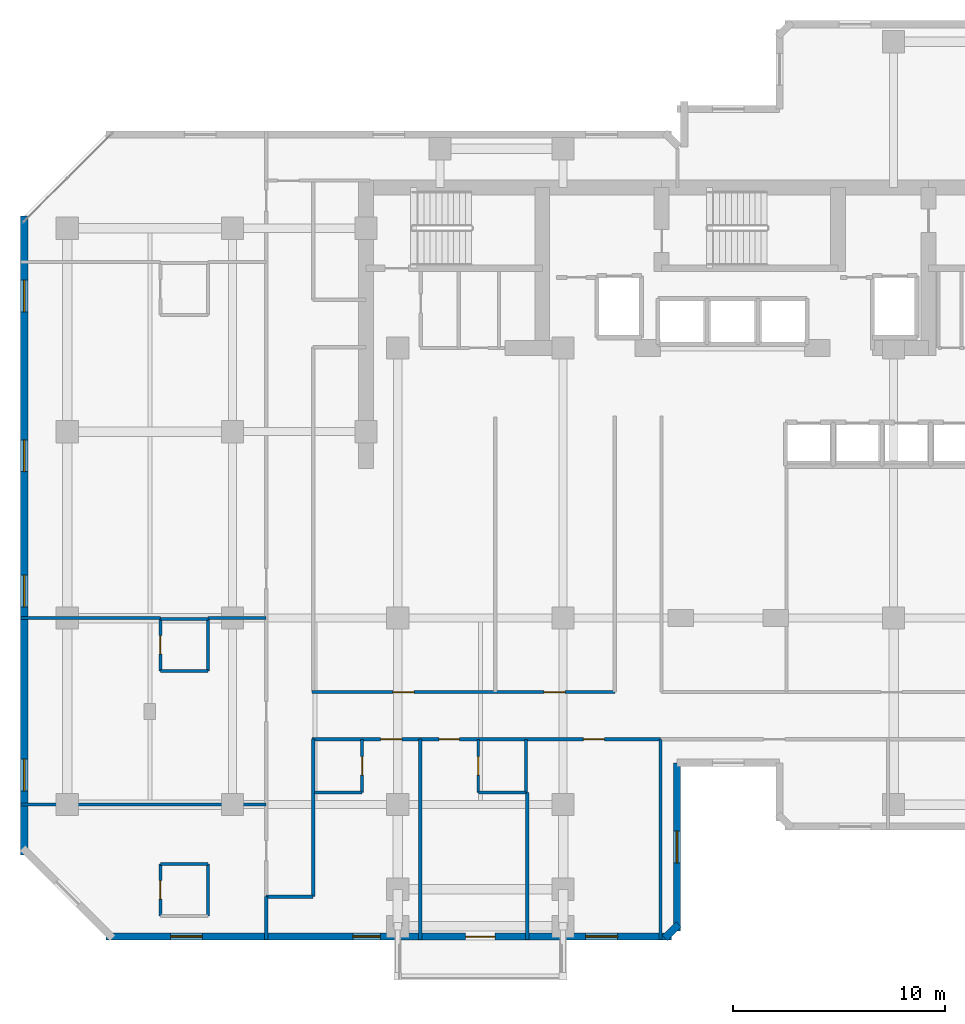
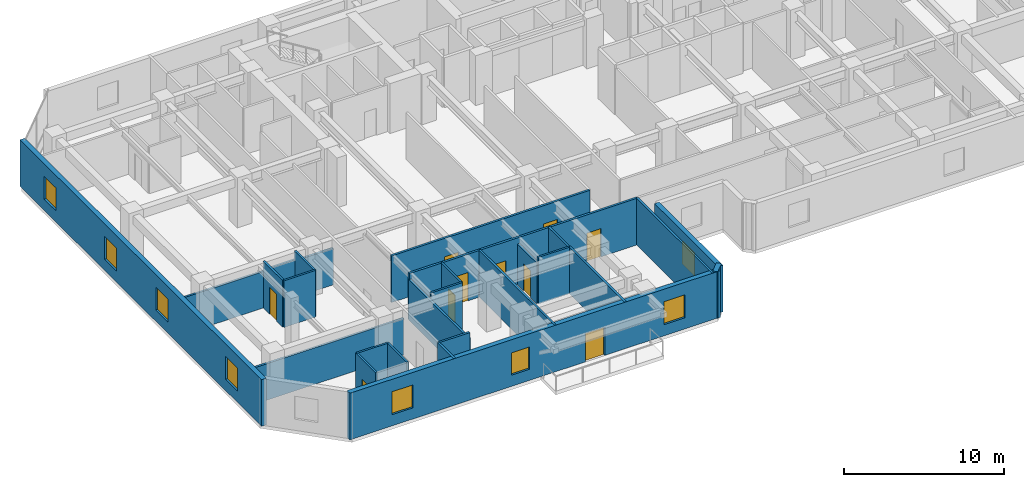
# One storey, part 5 of 11: 27 walls, 10 doors, 8 windows, 18 openings.
"""IFC4 building model written with IfcOpenShell, lengths in metres."""

from ifc_helpers import new_model, si_unit, direction, frame, frame_2d, origin, place, context, subcontext, project, spatial, rectangle, extrude, material, layer, layer_set, type_object, element, fill, save


model = new_model("IFC4")

# Units and contexts
model_context = context("Model", 3, precision=1e-05, world=origin(), true_north=direction((0.0, 1.0)))
body_context = subcontext(model_context, "Body", "Model", "MODEL_VIEW")
ifc_project = project(units=[si_unit("LENGTHUNIT", "METRE"), si_unit("AREAUNIT", "SQUARE_METRE"), si_unit("VOLUMEUNIT", "CUBIC_METRE"), si_unit("PLANEANGLEUNIT", "RADIAN"), si_unit("MASSUNIT", "GRAM", prefix="KILO")], contexts=[model_context])

# Site, building, storey
site_placement = place(None, origin())
site = spatial("IfcSite", under=ifc_project, at=site_placement, CompositionType="ELEMENT")
building_placement = place(site_placement, origin())
building = spatial("IfcBuilding", under=site, at=building_placement, Name="Kestravale Grand Hotel", CompositionType="ELEMENT")
storey_placement = place(building_placement, frame((0.0, 0.0, 168.800048828125)))
storey = spatial("IfcBuildingStorey", under=building, at=storey_placement, Name="L42", CompositionType="ELEMENT", Elevation=168.800048828125)

# Wall, openings, door, windows
ifc_material_1 = material(Name="Precast concrete f'c 45 MPa", Category="concrete")
ifc_layer_1 = layer(ifc_material_1, 0.340087890625)
ifc_layer_set_1 = layer_set([ifc_layer_1], Name="EW-PREC-340")
wall_type_1 = type_object("IfcWallType", Name="EW-PREC-340", PredefinedType="SOLIDWALL", material=ifc_layer_set_1)
wall_1_placement = place(storey_placement, frame((9.6298828125, 4.969970703125, 0.0), z_axis=(0.0, 0.0, 1.0), x_axis=(1.0, 0.0, 0.0)))
wall_1 = element("IfcWall", 1, at=wall_1_placement, inside=storey, type_object=wall_type_1, Name="L42 fluted precast facade wall 1", PredefinedType="SOLIDWALL", context=body_context, shape_type="SweptSolid", body=[
    extrude(rectangle(XDim=26.690185546875, YDim=0.340087890625, at=frame_2d((13.34521484375, 0.0))), origin(), (0.0, 0.0, 1.0), 3.550048828125),
])
opening_1_placement = place(wall_1_placement, frame((16.969970703125, 0.0, 0.0)))
opening_1 = element("IfcOpeningElement", 2, at=opening_1_placement, cuts=wall_1, Name="Opening D-TERR-1400", PredefinedType="OPENING", context=body_context, shape_type="SweptSolid", body=[
    extrude(rectangle(XDim=1.39990234375, YDim=2.14990234375, at=frame_2d((0.699951171875, 1.074951171875))), frame((0.0, 0.179931640625, 0.0), z_axis=(0.0, -1.0, 0.0), x_axis=(1.0, 0.0, 0.0)), (0.0, 0.0, 1.0), 0.360107421875),
])
opening_2_placement = place(wall_1_placement, frame((3.04833984375, 0.0, 0.85009765625)))
opening_2 = element("IfcOpeningElement", 3, at=opening_2_placement, cuts=wall_1, Name="Opening W-GUEST-1500", PredefinedType="OPENING", context=body_context, shape_type="SweptSolid", body=[
    extrude(rectangle(XDim=1.5, YDim=1.75, at=frame_2d((0.75, 0.875))), frame((0.0, 0.179931640625, 0.0), z_axis=(0.0, -1.0, 0.0), x_axis=(1.0, 0.0, 0.0)), (0.0, 0.0, 1.0), 0.360107421875),
])
opening_3_placement = place(wall_1_placement, frame((22.6416015625, 0.0, 0.85009765625)))
opening_3 = element("IfcOpeningElement", 4, at=opening_3_placement, cuts=wall_1, Name="Opening W-GUEST-1500", PredefinedType="OPENING", context=body_context, shape_type="SweptSolid", body=[
    extrude(rectangle(XDim=1.5, YDim=1.75, at=frame_2d((0.75, 0.875))), frame((0.0, 0.179931640625, 0.0), z_axis=(0.0, -1.0, 0.0), x_axis=(1.0, 0.0, 0.0)), (0.0, 0.0, 1.0), 0.360107421875),
])
opening_4_placement = place(wall_1_placement, frame((11.655029296875, 0.0, 0.85009765625)))
opening_4 = element("IfcOpeningElement", 5, at=opening_4_placement, cuts=wall_1, Name="Opening W-GUEST-1300", PredefinedType="OPENING", context=body_context, shape_type="SweptSolid", body=[
    extrude(rectangle(XDim=1.300048828125, YDim=1.699951171875, at=frame_2d((0.64990234375, 0.85009765625))), frame((0.0, 0.179931640625, 0.0), z_axis=(0.0, -1.0, 0.0), x_axis=(1.0, 0.0, 0.0)), (0.0, 0.0, 1.0), 0.360107421875),
])
ifc_material_2 = material(Name="Insulated glazed champagne-bronze aluminium door", Category="aluminium")
door_type_1 = type_object("IfcDoorType", Name="D-TERR-1400", OperationType="NOTDEFINED", PredefinedType="DOOR", material=ifc_material_2)
door_1_placement = place(opening_1_placement, origin())
door_1 = element("IfcDoor", 6, at=door_1_placement, inside=storey, type_object=door_type_1, Name="L42 outdoor garden terrace door", OperationType="DOUBLE_DOOR_SINGLE_SWING", OverallHeight=2.14990234375, OverallWidth=1.39990234375, PredefinedType="DOOR", context=body_context, shape_type="SweptSolid", body=[
    extrude(rectangle(XDim=1.39990234375, YDim=2.14990234375, at=frame_2d((0.699951171875, 1.074951171875))), frame((0.0, 0.02490234375, 0.0), z_axis=(0.0, -1.0, 0.0), x_axis=(1.0, 0.0, 0.0)), (0.0, 0.0, 1.0), 0.050048828125),
])
fill(opening_1, door_1)
ifc_material_3 = material(Name="Insulated low-E double glazing in aluminium frame", Category="aluminium")
window_type_1 = type_object("IfcWindowType", Name="W-GUEST-1300", PartitioningType="SINGLE_PANEL", PredefinedType="WINDOW", material=ifc_material_3)
window_1_placement = place(opening_4_placement, origin())
window_1 = element("IfcWindow", 7, at=window_1_placement, inside=storey, type_object=window_type_1, Name="L42 guestroom envelope window 1", OverallHeight=1.699951171875, OverallWidth=1.300048828125, PartitioningType="SINGLE_PANEL", PredefinedType="WINDOW", context=body_context, shape_type="SweptSolid", body=[
    extrude(rectangle(XDim=1.300048828125, YDim=1.699951171875, at=frame_2d((0.64990234375, 0.85009765625))), frame((0.0, 0.030029296875, 0.0), z_axis=(0.0, -1.0, 0.0), x_axis=(1.0, 0.0, 0.0)), (0.0, 0.0, 1.0), 0.06005859375),
])
fill(opening_4, window_1)
ifc_material_4 = material(Name="Insulated low-E double glazing in aluminium frame", Category="aluminium")
window_type_2 = type_object("IfcWindowType", Name="W-GUEST-1500", PartitioningType="SINGLE_PANEL", PredefinedType="WINDOW", material=ifc_material_4)
window_2_placement = place(opening_2_placement, origin())
window_2 = element("IfcWindow", 8, at=window_2_placement, inside=storey, type_object=window_type_2, Name="L42 exterior window 1.1", OverallHeight=1.75, OverallWidth=1.5, PartitioningType="SINGLE_PANEL", PredefinedType="WINDOW", context=body_context, shape_type="SweptSolid", body=[
    extrude(rectangle(XDim=1.5, YDim=1.75, at=frame_2d((0.75, 0.875))), frame((0.0, 0.030029296875, 0.0), z_axis=(0.0, -1.0, 0.0), x_axis=(1.0, 0.0, 0.0)), (0.0, 0.0, 1.0), 0.06005859375),
])
fill(opening_2, window_2)
window_3_placement = place(opening_3_placement, origin())
window_3 = element("IfcWindow", 9, at=window_3_placement, inside=storey, type_object=window_type_2, Name="L42 exterior window 1.2", OverallHeight=1.75, OverallWidth=1.5, PartitioningType="SINGLE_PANEL", PredefinedType="WINDOW", context=body_context, shape_type="SweptSolid", body=[
    extrude(rectangle(XDim=1.5, YDim=1.75, at=frame_2d((0.75, 0.875))), frame((0.0, 0.030029296875, 0.0), z_axis=(0.0, -1.0, 0.0), x_axis=(1.0, 0.0, 0.0)), (0.0, 0.0, 1.0), 0.06005859375),
])
fill(opening_3, window_3)

# Wall
wall_2_placement = place(storey_placement, frame((36.00146484375, 4.891845703125, 0.0), z_axis=(0.0, 0.0, 1.0), x_axis=(0.707106781187, 0.707106781187, 0.0)))
element("IfcWall", 10, at=wall_2_placement, inside=storey, type_object=wall_type_1, Name="L42 fluted precast facade wall 2", PredefinedType="SOLIDWALL", context=body_context, shape_type="SweptSolid", body=[
    extrude(rectangle(XDim=0.9287109375, YDim=0.340087890625, at=frame_2d((0.46435546875, 0.0))), origin(), (0.0, 0.0, 1.0), 3.550048828125),
])

# Wall, opening, window
wall_3_placement = place(storey_placement, frame((36.580078125, 5.22998046875, 0.0), z_axis=(0.0, 0.0, 1.0), x_axis=(0.0, 1.0, 0.0)))
wall_3 = element("IfcWall", 11, at=wall_3_placement, inside=storey, type_object=wall_type_1, Name="L42 fluted precast facade wall 3", PredefinedType="SOLIDWALL", context=body_context, shape_type="SweptSolid", body=[
    extrude(rectangle(XDim=7.93994140625, YDim=0.340087890625, at=frame_2d((3.969970703125, 0.0))), origin(), (0.0, 0.0, 1.0), 3.550048828125),
])
opening_5_placement = place(wall_3_placement, frame((3.219970703125, 0.0, 0.85009765625)))
opening_5 = element("IfcOpeningElement", 12, at=opening_5_placement, cuts=wall_3, Name="Opening W-GUEST-1500", PredefinedType="OPENING", context=body_context, shape_type="SweptSolid", body=[
    extrude(rectangle(XDim=1.5, YDim=1.75, at=frame_2d((0.75, 0.875))), frame((0.0, 0.179931640625, 0.0), z_axis=(0.0, -1.0, 0.0), x_axis=(1.0, 0.0, 0.0)), (0.0, 0.0, 1.0), 0.360107421875),
])
window_4_placement = place(opening_5_placement, origin())
window_4 = element("IfcWindow", 13, at=window_4_placement, inside=storey, type_object=window_type_2, Name="L42 exterior window 3.1", OverallHeight=1.75, OverallWidth=1.5, PartitioningType="SINGLE_PANEL", PredefinedType="WINDOW", context=body_context, shape_type="SweptSolid", body=[
    extrude(rectangle(XDim=1.5, YDim=1.75, at=frame_2d((0.75, 0.875))), frame((0.0, 0.030029296875, 0.0), z_axis=(0.0, -1.0, 0.0), x_axis=(1.0, 0.0, 0.0)), (0.0, 0.0, 1.0), 0.06005859375),
])
fill(opening_5, window_4)

# Wall, openings, windows
wall_4_placement = place(storey_placement, frame((5.77001953125, 38.969970703125, 0.0), z_axis=(0.0, 0.0, 1.0), x_axis=(0.0, -1.0, 0.0)))
wall_4 = element("IfcWall", 14, at=wall_4_placement, inside=storey, type_object=wall_type_1, Name="L42 fluted precast facade wall 19", PredefinedType="SOLIDWALL", context=body_context, shape_type="SweptSolid", body=[
    extrude(rectangle(XDim=30.139892578125, YDim=0.340087890625, at=frame_2d((15.06982421875, 0.0))), origin(), (0.0, 0.0, 1.0), 3.550048828125),
])
opening_6_placement = place(wall_4_placement, frame((3.017578125, 0.0, 0.85009765625)))
opening_6 = element("IfcOpeningElement", 15, at=opening_6_placement, cuts=wall_4, Name="Opening W-GUEST-1500", PredefinedType="OPENING", context=body_context, shape_type="SweptSolid", body=[
    extrude(rectangle(XDim=1.5, YDim=1.75, at=frame_2d((0.75, 0.875))), frame((0.0, 0.179931640625, 0.0), z_axis=(0.0, -1.0, 0.0), x_axis=(1.0, 0.0, 0.0)), (0.0, 0.0, 1.0), 0.360107421875),
])
opening_7_placement = place(wall_4_placement, frame((10.552490234375, 0.0, 0.85009765625)))
opening_7 = element("IfcOpeningElement", 16, at=opening_7_placement, cuts=wall_4, Name="Opening W-GUEST-1500", PredefinedType="OPENING", context=body_context, shape_type="SweptSolid", body=[
    extrude(rectangle(XDim=1.5, YDim=1.75, at=frame_2d((0.75, 0.875))), frame((0.0, 0.179931640625, 0.0), z_axis=(0.0, -1.0, 0.0), x_axis=(1.0, 0.0, 0.0)), (0.0, 0.0, 1.0), 0.360107421875),
])
opening_8_placement = place(wall_4_placement, frame((16.9375, 0.0, 0.85009765625)))
opening_8 = element("IfcOpeningElement", 17, at=opening_8_placement, cuts=wall_4, Name="Opening W-GUEST-1500", PredefinedType="OPENING", context=body_context, shape_type="SweptSolid", body=[
    extrude(rectangle(XDim=1.5, YDim=1.75, at=frame_2d((0.75, 0.875))), frame((0.0, 0.179931640625, 0.0), z_axis=(0.0, -1.0, 0.0), x_axis=(1.0, 0.0, 0.0)), (0.0, 0.0, 1.0), 0.360107421875),
])
opening_9_placement = place(wall_4_placement, frame((25.62255859375, 0.0, 0.85009765625)))
opening_9 = element("IfcOpeningElement", 18, at=opening_9_placement, cuts=wall_4, Name="Opening W-GUEST-1500", PredefinedType="OPENING", context=body_context, shape_type="SweptSolid", body=[
    extrude(rectangle(XDim=1.5, YDim=1.75, at=frame_2d((0.75, 0.875))), frame((0.0, 0.179931640625, 0.0), z_axis=(0.0, -1.0, 0.0), x_axis=(1.0, 0.0, 0.0)), (0.0, 0.0, 1.0), 0.360107421875),
])
window_5_placement = place(opening_6_placement, origin())
window_5 = element("IfcWindow", 19, at=window_5_placement, inside=storey, type_object=window_type_2, Name="L42 exterior window 19.1", OverallHeight=1.75, OverallWidth=1.5, PartitioningType="SINGLE_PANEL", PredefinedType="WINDOW", context=body_context, shape_type="SweptSolid", body=[
    extrude(rectangle(XDim=1.5, YDim=1.75, at=frame_2d((0.75, 0.875))), frame((0.0, 0.030029296875, 0.0), z_axis=(0.0, -1.0, 0.0), x_axis=(1.0, 0.0, 0.0)), (0.0, 0.0, 1.0), 0.06005859375),
])
fill(opening_6, window_5)
window_6_placement = place(opening_7_placement, origin())
window_6 = element("IfcWindow", 20, at=window_6_placement, inside=storey, type_object=window_type_2, Name="L42 exterior window 19.2", OverallHeight=1.75, OverallWidth=1.5, PartitioningType="SINGLE_PANEL", PredefinedType="WINDOW", context=body_context, shape_type="SweptSolid", body=[
    extrude(rectangle(XDim=1.5, YDim=1.75, at=frame_2d((0.75, 0.875))), frame((0.0, 0.030029296875, 0.0), z_axis=(0.0, -1.0, 0.0), x_axis=(1.0, 0.0, 0.0)), (0.0, 0.0, 1.0), 0.06005859375),
])
fill(opening_7, window_6)
window_7_placement = place(opening_8_placement, origin())
window_7 = element("IfcWindow", 21, at=window_7_placement, inside=storey, type_object=window_type_2, Name="L42 exterior window 19.3", OverallHeight=1.75, OverallWidth=1.5, PartitioningType="SINGLE_PANEL", PredefinedType="WINDOW", context=body_context, shape_type="SweptSolid", body=[
    extrude(rectangle(XDim=1.5, YDim=1.75, at=frame_2d((0.75, 0.875))), frame((0.0, 0.030029296875, 0.0), z_axis=(0.0, -1.0, 0.0), x_axis=(1.0, 0.0, 0.0)), (0.0, 0.0, 1.0), 0.06005859375),
])
fill(opening_8, window_7)
window_8_placement = place(opening_9_placement, origin())
window_8 = element("IfcWindow", 22, at=window_8_placement, inside=storey, type_object=window_type_2, Name="L42 exterior window 19.4", OverallHeight=1.75, OverallWidth=1.5, PartitioningType="SINGLE_PANEL", PredefinedType="WINDOW", context=body_context, shape_type="SweptSolid", body=[
    extrude(rectangle(XDim=1.5, YDim=1.75, at=frame_2d((0.75, 0.875))), frame((0.0, 0.030029296875, 0.0), z_axis=(0.0, -1.0, 0.0), x_axis=(1.0, 0.0, 0.0)), (0.0, 0.0, 1.0), 0.06005859375),
])
fill(opening_9, window_8)

# Wall, openings, doors
ifc_material_5 = material(Name="Acoustic fire-rated gypsum board partition", Category="other")
ifc_layer_2 = layer(ifc_material_5, 0.159912109375)
ifc_layer_set_2 = layer_set([ifc_layer_2], Name="IW-CORR-160")
wall_type_2 = type_object("IfcWallType", Name="IW-CORR-160", PredefinedType="PARTITIONING", material=ifc_layer_set_2)
wall_5_placement = place(storey_placement, frame((19.35009765625, 16.510009765625, 0.0), z_axis=(0.0, 0.0, 1.0), x_axis=(1.0, 0.0, 0.0)))
wall_5 = element("IfcWall", 23, at=wall_5_placement, inside=storey, type_object=wall_type_2, Name="W-L42-CW-N", PredefinedType="PARTITIONING", context=body_context, shape_type="SweptSolid", body=[
    extrude(rectangle(XDim=14.2998046875, YDim=0.159912109375, at=frame_2d((7.14990234375, 0.0))), origin(), (0.0, 0.0, 1.0), 3.550048828125),
])
opening_10_placement = place(wall_5_placement, frame((3.824951171875, 0.0, 0.0)))
opening_10 = element("IfcOpeningElement", 24, at=opening_10_placement, cuts=wall_5, Name="Opening D-GUEST-1000", PredefinedType="OPENING", context=body_context, shape_type="SweptSolid", body=[
    extrude(rectangle(XDim=1.0, YDim=2.14990234375, at=frame_2d((0.5, 1.074951171875))), frame((0.0, 0.08984375, 0.0), z_axis=(0.0, -1.0, 0.0), x_axis=(1.0, 0.0, 0.0)), (0.0, 0.0, 1.0), 0.179931640625),
])
opening_11_placement = place(wall_5_placement, frame((10.949951171875, 0.0, 0.0)))
opening_11 = element("IfcOpeningElement", 25, at=opening_11_placement, cuts=wall_5, Name="Opening D-GUEST-1000", PredefinedType="OPENING", context=body_context, shape_type="SweptSolid", body=[
    extrude(rectangle(XDim=1.0, YDim=2.14990234375, at=frame_2d((0.5, 1.074951171875))), frame((0.0, 0.08984375, 0.0), z_axis=(0.0, -1.0, 0.0), x_axis=(1.0, 0.0, 0.0)), (0.0, 0.0, 1.0), 0.179931640625),
])
ifc_material_6 = material(Name="Accessible walnut veneer hotel entrance fire door", Category="wood")
door_type_2 = type_object("IfcDoorType", Name="D-GUEST-1000", OperationType="NOTDEFINED", PredefinedType="DOOR", material=ifc_material_6)
door_2_placement = place(opening_10_placement, origin())
door_2 = element("IfcDoor", 26, at=door_2_placement, inside=storey, type_object=door_type_2, Name="D-L42-RECL-W1", OperationType="SINGLE_SWING_LEFT", OverallHeight=2.14990234375, OverallWidth=1.0, PredefinedType="DOOR", context=body_context, shape_type="SweptSolid", body=[
    extrude(rectangle(XDim=1.0, YDim=2.14990234375, at=frame_2d((0.5, 1.074951171875))), frame((0.0, 0.02490234375, 0.0), z_axis=(0.0, -1.0, 0.0), x_axis=(1.0, 0.0, 0.0)), (0.0, 0.0, 1.0), 0.050048828125),
])
fill(opening_10, door_2)
door_3_placement = place(opening_11_placement, origin())
door_3 = element("IfcDoor", 27, at=door_3_placement, inside=storey, type_object=door_type_2, Name="D-L42-RECL-W2", OperationType="SINGLE_SWING_RIGHT", OverallHeight=2.14990234375, OverallWidth=1.0, PredefinedType="DOOR", context=body_context, shape_type="SweptSolid", body=[
    extrude(rectangle(XDim=1.0, YDim=2.14990234375, at=frame_2d((0.5, 1.074951171875))), frame((0.0, 0.02490234375, 0.0), z_axis=(0.0, -1.0, 0.0), x_axis=(1.0, 0.0, 0.0)), (0.0, 0.0, 1.0), 0.050048828125),
])
fill(opening_11, door_3)

wall_6_placement = place(storey_placement, frame((19.35009765625, 14.2900390625, 0.0), z_axis=(0.0, 0.0, 1.0), x_axis=(1.0, 0.0, 0.0)))
wall_6 = element("IfcWall", 28, at=wall_6_placement, inside=storey, type_object=wall_type_2, Name="W-L42-CW-S", PredefinedType="PARTITIONING", context=body_context, shape_type="SweptSolid", body=[
    extrude(rectangle(XDim=16.449951171875, YDim=0.159912109375, at=frame_2d((8.22509765625, 0.0))), origin(), (0.0, 0.0, 1.0), 3.550048828125),
])
opening_12_placement = place(wall_6_placement, frame((3.239990234375, 0.0, 0.0)))
opening_12 = element("IfcOpeningElement", 29, at=opening_12_placement, cuts=wall_6, Name="Opening D-GUEST-1000", PredefinedType="OPENING", context=body_context, shape_type="SweptSolid", body=[
    extrude(rectangle(XDim=1.0, YDim=2.14990234375, at=frame_2d((0.5, 1.074951171875))), frame((0.0, 0.08984375, 0.0), z_axis=(0.0, -1.0, 0.0), x_axis=(1.0, 0.0, 0.0)), (0.0, 0.0, 1.0), 0.179931640625),
])
opening_13_placement = place(wall_6_placement, frame((6.0048828125, 0.0, 0.0)))
opening_13 = element("IfcOpeningElement", 30, at=opening_13_placement, cuts=wall_6, Name="Opening D-GUEST-950", PredefinedType="OPENING", context=body_context, shape_type="SweptSolid", body=[
    extrude(rectangle(XDim=0.949951171875, YDim=2.10009765625, at=frame_2d((0.47509765625, 1.050048828125))), frame((0.0, 0.08984375, 0.0), z_axis=(0.0, -1.0, 0.0), x_axis=(1.0, 0.0, 0.0)), (0.0, 0.0, 1.0), 0.179931640625),
])
opening_14_placement = place(wall_6_placement, frame((12.804931640625, 0.0, 0.0)))
opening_14 = element("IfcOpeningElement", 31, at=opening_14_placement, cuts=wall_6, Name="Opening D-GUEST-1000", PredefinedType="OPENING", context=body_context, shape_type="SweptSolid", body=[
    extrude(rectangle(XDim=1.0, YDim=2.14990234375, at=frame_2d((0.5, 1.074951171875))), frame((0.0, 0.08984375, 0.0), z_axis=(0.0, -1.0, 0.0), x_axis=(1.0, 0.0, 0.0)), (0.0, 0.0, 1.0), 0.179931640625),
])
door_4_placement = place(opening_12_placement, origin())
door_4 = element("IfcDoor", 32, at=door_4_placement, inside=storey, type_object=door_type_2, Name="D-L42-U01-ENT", OperationType="SINGLE_SWING_RIGHT", OverallHeight=2.14990234375, OverallWidth=1.0, PredefinedType="DOOR", context=body_context, shape_type="SweptSolid", body=[
    extrude(rectangle(XDim=1.0, YDim=2.14990234375, at=frame_2d((0.5, 1.074951171875))), frame((0.0, 0.02490234375, 0.0), z_axis=(0.0, -1.0, 0.0), x_axis=(1.0, 0.0, 0.0)), (0.0, 0.0, 1.0), 0.050048828125),
])
fill(opening_12, door_4)
door_5_placement = place(opening_14_placement, origin())
door_5 = element("IfcDoor", 33, at=door_5_placement, inside=storey, type_object=door_type_2, Name="D-L42-AMW", OperationType="SINGLE_SWING_LEFT", OverallHeight=2.14990234375, OverallWidth=1.0, PredefinedType="DOOR", context=body_context, shape_type="SweptSolid", body=[
    extrude(rectangle(XDim=1.0, YDim=2.14990234375, at=frame_2d((0.5, 1.074951171875))), frame((0.0, 0.02490234375, 0.0), z_axis=(0.0, -1.0, 0.0), x_axis=(1.0, 0.0, 0.0)), (0.0, 0.0, 1.0), 0.050048828125),
])
fill(opening_14, door_5)
ifc_material_7 = material(Name="Walnut veneer hotel guestroom entrance fire door", Category="wood")
door_type_3 = type_object("IfcDoorType", Name="D-GUEST-950", OperationType="NOTDEFINED", PredefinedType="DOOR", material=ifc_material_7)
door_6_placement = place(opening_13_placement, origin())
door_6 = element("IfcDoor", 34, at=door_6_placement, inside=storey, type_object=door_type_3, Name="D-L42-U02-ENT", OperationType="SINGLE_SWING_RIGHT", OverallHeight=2.10009765625, OverallWidth=0.949951171875, PredefinedType="DOOR", context=body_context, shape_type="SweptSolid", body=[
    extrude(rectangle(XDim=0.949951171875, YDim=2.10009765625, at=frame_2d((0.47509765625, 1.050048828125))), frame((0.0, 0.02490234375, 0.0), z_axis=(0.0, -1.0, 0.0), x_axis=(1.0, 0.0, 0.0)), (0.0, 0.0, 1.0), 0.050048828125),
])
fill(opening_13, door_6)

# Wall
wall_7_placement = place(storey_placement, frame((19.409912109375, 6.85009765625, 0.0), z_axis=(0.0, 0.0, 1.0), x_axis=(0.0, 1.0, 0.0)))
element("IfcWall", 35, at=wall_7_placement, inside=storey, type_object=wall_type_2, Name="W-L42-SW-E", PredefinedType="PARTITIONING", context=body_context, shape_type="SweptSolid", body=[
    extrude(rectangle(XDim=7.43994140625, YDim=0.159912109375, at=frame_2d((3.719970703125, 0.0))), origin(), (0.0, 0.0, 1.0), 3.093017578125),
])

# Wall, opening, door
ifc_material_8 = material(Name="Moisture-resistant tile-backer plumbing chase wall", Category="other")
ifc_layer_3 = layer(ifc_material_8, 0.139892578125)
ifc_layer_set_3 = layer_set([ifc_layer_3], Name="IW-PLB-140")
wall_type_3 = type_object("IfcWallType", Name="IW-PLB-140", PredefinedType="PLUMBINGWALL", material=ifc_layer_set_3)
wall_8_placement = place(storey_placement, frame((21.719970703125, 11.780029296875, 0.0), z_axis=(0.0, 0.0, 1.0), x_axis=(0.0, 1.0, 0.0)))
wall_8 = element("IfcWall", 36, at=wall_8_placement, inside=storey, type_object=wall_type_3, Name="W-L42-U01-BE", PredefinedType="PLUMBINGWALL", context=body_context, shape_type="SweptSolid", body=[
    extrude(rectangle(XDim=2.489990234375, YDim=0.139892578125, at=frame_2d((1.2451171875, 0.0))), origin(), (0.0, 0.0, 1.0), 3.550048828125),
])
opening_15_placement = place(wall_8_placement, frame((0.804931640625, 0.0, 0.0)))
opening_15 = element("IfcOpeningElement", 37, at=opening_15_placement, cuts=wall_8, Name="Opening D-BATH-880", PredefinedType="OPENING", context=body_context, shape_type="SweptSolid", body=[
    extrude(rectangle(XDim=0.8798828125, YDim=2.050048828125, at=frame_2d((0.43994140625, 1.02490234375))), frame((0.0, 0.079833984375, 0.0), z_axis=(0.0, -1.0, 0.0), x_axis=(1.0, 0.0, 0.0)), (0.0, 0.0, 1.0), 0.159912109375),
])
ifc_material_9 = material(Name="Moisture-sealed walnut en-suite bathroom door", Category="wood")
door_type_4 = type_object("IfcDoorType", Name="D-BATH-880", OperationType="NOTDEFINED", PredefinedType="DOOR", material=ifc_material_9)
door_7_placement = place(opening_15_placement, origin())
door_7 = element("IfcDoor", 38, at=door_7_placement, inside=storey, type_object=door_type_4, Name="D-L42-U01-BATH", OperationType="SINGLE_SWING_LEFT", OverallHeight=2.050048828125, OverallWidth=0.8798828125, PredefinedType="DOOR", context=body_context, shape_type="SweptSolid", body=[
    extrude(rectangle(XDim=0.8798828125, YDim=2.050048828125, at=frame_2d((0.43994140625, 1.02490234375))), frame((0.0, 0.02490234375, 0.0), z_axis=(0.0, -1.0, 0.0), x_axis=(1.0, 0.0, 0.0)), (0.0, 0.0, 1.0), 0.050048828125),
])
fill(opening_15, door_7)

# Wall
wall_9_placement = place(storey_placement, frame((19.469970703125, 11.780029296875, 0.0), z_axis=(0.0, 0.0, 1.0), x_axis=(1.0, 0.0, 0.0)))
element("IfcWall", 39, at=wall_9_placement, inside=storey, type_object=wall_type_3, Name="W-L42-U01-BS", PredefinedType="PLUMBINGWALL", context=body_context, shape_type="SweptSolid", body=[
    extrude(rectangle(XDim=2.25, YDim=0.139892578125, at=frame_2d((1.125, 0.0))), origin(), (0.0, 0.0, 1.0), 3.550048828125),
])

# Wall, opening, door
wall_10_placement = place(storey_placement, frame((27.199951171875, 11.780029296875, 0.0), z_axis=(0.0, 0.0, 1.0), x_axis=(0.0, 1.0, 0.0)))
wall_10 = element("IfcWall", 40, at=wall_10_placement, inside=storey, type_object=wall_type_3, Name="W-L42-U02-BW", PredefinedType="PLUMBINGWALL", context=body_context, shape_type="SweptSolid", body=[
    extrude(rectangle(XDim=2.489990234375, YDim=0.139892578125, at=frame_2d((1.2451171875, 0.0))), origin(), (0.0, 0.0, 1.0), 3.093017578125),
])
opening_16_placement = place(wall_10_placement, frame((0.804931640625, 0.0, 0.0)))
opening_16 = element("IfcOpeningElement", 41, at=opening_16_placement, cuts=wall_10, Name="Opening D-BATH-880", PredefinedType="OPENING", context=body_context, shape_type="SweptSolid", body=[
    extrude(rectangle(XDim=0.8798828125, YDim=2.050048828125, at=frame_2d((0.43994140625, 1.02490234375))), frame((0.0, 0.079833984375, 0.0), z_axis=(0.0, -1.0, 0.0), x_axis=(1.0, 0.0, 0.0)), (0.0, 0.0, 1.0), 0.159912109375),
])
door_8_placement = place(opening_16_placement, origin())
door_8 = element("IfcDoor", 42, at=door_8_placement, inside=storey, type_object=door_type_4, Name="D-L42-U02-BATH", OperationType="SINGLE_SWING_LEFT", OverallHeight=2.050048828125, OverallWidth=0.8798828125, PredefinedType="DOOR", context=body_context, shape_type="SweptSolid", body=[
    extrude(rectangle(XDim=0.8798828125, YDim=2.050048828125, at=frame_2d((0.43994140625, 1.02490234375))), frame((0.0, 0.02490234375, 0.0), z_axis=(0.0, -1.0, 0.0), x_axis=(1.0, 0.0, 0.0)), (0.0, 0.0, 1.0), 0.050048828125),
])
fill(opening_16, door_8)

# Walls
wall_11_placement = place(storey_placement, frame((29.449951171875, 11.780029296875, 0.0), z_axis=(0.0, 0.0, 1.0), x_axis=(0.0, 1.0, 0.0)))
element("IfcWall", 43, at=wall_11_placement, inside=storey, type_object=wall_type_3, Name="W-L42-U02-BE", PredefinedType="PLUMBINGWALL", context=body_context, shape_type="SweptSolid", body=[
    extrude(rectangle(XDim=2.489990234375, YDim=0.139892578125, at=frame_2d((1.2451171875, 0.0))), origin(), (0.0, 0.0, 1.0), 3.550048828125),
])
wall_12_placement = place(storey_placement, frame((27.199951171875, 11.780029296875, 0.0), z_axis=(0.0, 0.0, 1.0), x_axis=(1.0, 0.0, 0.0)))
element("IfcWall", 44, at=wall_12_placement, inside=storey, type_object=wall_type_3, Name="W-L42-U02-BS", PredefinedType="PLUMBINGWALL", context=body_context, shape_type="SweptSolid", body=[
    extrude(rectangle(XDim=2.25, YDim=0.139892578125, at=frame_2d((1.125, 0.0))), origin(), (0.0, 0.0, 1.0), 3.550048828125),
])

# Wall, opening, door
wall_13_placement = place(storey_placement, frame((12.199951171875, 5.949951171875, 0.0), z_axis=(0.0, 0.0, 1.0), x_axis=(0.0, 1.0, 0.0)))
wall_13 = element("IfcWall", 45, at=wall_13_placement, inside=storey, type_object=wall_type_3, Name="W-L42-U03-BW", PredefinedType="PLUMBINGWALL", context=body_context, shape_type="SweptSolid", body=[
    extrude(rectangle(XDim=2.449951171875, YDim=0.139892578125, at=frame_2d((1.22509765625, 0.0))), origin(), (0.0, 0.0, 1.0), 3.550048828125),
])
opening_17_placement = place(wall_13_placement, frame((0.784912109375, 0.0, 0.0)))
opening_17 = element("IfcOpeningElement", 46, at=opening_17_placement, cuts=wall_13, Name="Opening D-BATH-880", PredefinedType="OPENING", context=body_context, shape_type="SweptSolid", body=[
    extrude(rectangle(XDim=0.8798828125, YDim=2.050048828125, at=frame_2d((0.43994140625, 1.02490234375))), frame((0.0, 0.079833984375, 0.0), z_axis=(0.0, -1.0, 0.0), x_axis=(1.0, 0.0, 0.0)), (0.0, 0.0, 1.0), 0.159912109375),
])
door_9_placement = place(opening_17_placement, origin())
door_9 = element("IfcDoor", 47, at=door_9_placement, inside=storey, type_object=door_type_4, Name="D-L42-U03-BATH", OperationType="SINGLE_SWING_LEFT", OverallHeight=2.050048828125, OverallWidth=0.8798828125, PredefinedType="DOOR", context=body_context, shape_type="SweptSolid", body=[
    extrude(rectangle(XDim=0.8798828125, YDim=2.050048828125, at=frame_2d((0.43994140625, 1.02490234375))), frame((0.0, 0.02490234375, 0.0), z_axis=(0.0, -1.0, 0.0), x_axis=(1.0, 0.0, 0.0)), (0.0, 0.0, 1.0), 0.050048828125),
])
fill(opening_17, door_9)

# Walls
wall_14_placement = place(storey_placement, frame((14.449951171875, 5.949951171875, 0.0), z_axis=(0.0, 0.0, 1.0), x_axis=(0.0, 1.0, 0.0)))
element("IfcWall", 48, at=wall_14_placement, inside=storey, type_object=wall_type_3, Name="W-L42-U03-BE", PredefinedType="PLUMBINGWALL", context=body_context, shape_type="SweptSolid", body=[
    extrude(rectangle(XDim=2.449951171875, YDim=0.139892578125, at=frame_2d((1.22509765625, 0.0))), origin(), (0.0, 0.0, 1.0), 3.550048828125),
])
wall_15_placement = place(storey_placement, frame((12.199951171875, 8.39990234375, 0.0), z_axis=(0.0, 0.0, 1.0), x_axis=(1.0, 0.0, 0.0)))
element("IfcWall", 49, at=wall_15_placement, inside=storey, type_object=wall_type_3, Name="W-L42-U03-BN", PredefinedType="PLUMBINGWALL", context=body_context, shape_type="SweptSolid", body=[
    extrude(rectangle(XDim=2.25, YDim=0.139892578125, at=frame_2d((1.125, 0.0))), origin(), (0.0, 0.0, 1.0), 3.550048828125),
])

# Wall, opening, door
wall_16_placement = place(storey_placement, frame((12.199951171875, 17.510009765625, 0.0), z_axis=(0.0, 0.0, 1.0), x_axis=(0.0, 1.0, 0.0)))
wall_16 = element("IfcWall", 50, at=wall_16_placement, inside=storey, type_object=wall_type_3, Name="W-L42-U04-BW", PredefinedType="PLUMBINGWALL", context=body_context, shape_type="SweptSolid", body=[
    extrude(rectangle(XDim=2.449951171875, YDim=0.139892578125, at=frame_2d((1.22509765625, 0.0))), origin(), (0.0, 0.0, 1.0), 3.550048828125),
])
opening_18_placement = place(wall_16_placement, frame((0.784912109375, 0.0, 0.0)))
opening_18 = element("IfcOpeningElement", 51, at=opening_18_placement, cuts=wall_16, Name="Opening D-BATH-880", PredefinedType="OPENING", context=body_context, shape_type="SweptSolid", body=[
    extrude(rectangle(XDim=0.8798828125, YDim=2.050048828125, at=frame_2d((0.43994140625, 1.02490234375))), frame((0.0, 0.079833984375, 0.0), z_axis=(0.0, -1.0, 0.0), x_axis=(1.0, 0.0, 0.0)), (0.0, 0.0, 1.0), 0.159912109375),
])
door_10_placement = place(opening_18_placement, origin())
door_10 = element("IfcDoor", 52, at=door_10_placement, inside=storey, type_object=door_type_4, Name="D-L42-U04-BATH", OperationType="SINGLE_SWING_LEFT", OverallHeight=2.050048828125, OverallWidth=0.8798828125, PredefinedType="DOOR", context=body_context, shape_type="SweptSolid", body=[
    extrude(rectangle(XDim=0.8798828125, YDim=2.050048828125, at=frame_2d((0.43994140625, 1.02490234375))), frame((0.0, 0.02490234375, 0.0), z_axis=(0.0, -1.0, 0.0), x_axis=(1.0, 0.0, 0.0)), (0.0, 0.0, 1.0), 0.050048828125),
])
fill(opening_18, door_10)

# Walls
wall_17_placement = place(storey_placement, frame((14.449951171875, 17.510009765625, 0.0), z_axis=(0.0, 0.0, 1.0), x_axis=(0.0, 1.0, 0.0)))
element("IfcWall", 53, at=wall_17_placement, inside=storey, type_object=wall_type_3, Name="W-L42-U04-BE", PredefinedType="PLUMBINGWALL", context=body_context, shape_type="SweptSolid", body=[
    extrude(rectangle(XDim=2.449951171875, YDim=0.139892578125, at=frame_2d((1.22509765625, 0.0))), origin(), (0.0, 0.0, 1.0), 3.550048828125),
])
wall_18_placement = place(storey_placement, frame((12.199951171875, 17.510009765625, 0.0), z_axis=(0.0, 0.0, 1.0), x_axis=(1.0, 0.0, 0.0)))
element("IfcWall", 54, at=wall_18_placement, inside=storey, type_object=wall_type_3, Name="W-L42-U04-BS", PredefinedType="PLUMBINGWALL", context=body_context, shape_type="SweptSolid", body=[
    extrude(rectangle(XDim=2.25, YDim=0.139892578125, at=frame_2d((1.125, 0.0))), origin(), (0.0, 0.0, 1.0), 3.550048828125),
])
wall_19_placement = place(storey_placement, frame((12.199951171875, 19.9599609375, 0.0), z_axis=(0.0, 0.0, 1.0), x_axis=(1.0, 0.0, 0.0)))
element("IfcWall", 55, at=wall_19_placement, inside=storey, type_object=wall_type_3, Name="W-L42-U04-BN", PredefinedType="PLUMBINGWALL", context=body_context, shape_type="SweptSolid", body=[
    extrude(rectangle(XDim=2.25, YDim=0.139892578125, at=frame_2d((1.125, 0.0))), origin(), (0.0, 0.0, 1.0), 2.89990234375),
])
ifc_material_10 = material(Name="Double-stud STC 52 acoustic demising partition", Category="other")
ifc_layer_4 = layer(ifc_material_10, 0.14990234375)
ifc_layer_set_4 = layer_set([ifc_layer_4], Name="IW-UNIT-150")
wall_type_4 = type_object("IfcWallType", Name="IW-UNIT-150", PredefinedType="PARTITIONING", material=ifc_layer_set_4)
wall_20_placement = place(storey_placement, frame((17.18994140625, 6.85009765625, 0.0), z_axis=(0.0, 0.0, 1.0), x_axis=(1.0, 0.0, 0.0)))
element("IfcWall", 56, at=wall_20_placement, inside=storey, type_object=wall_type_4, Name="W-L42-SW-S", PredefinedType="PARTITIONING", context=body_context, shape_type="SweptSolid", body=[
    extrude(rectangle(XDim=2.219970703125, YDim=0.14990234375, at=frame_2d((1.10986328125, 0.0))), origin(), (0.0, 0.0, 1.0), 3.550048828125),
])
wall_21_placement = place(storey_placement, frame((24.4599609375, 4.820068359375, 0.0), z_axis=(0.0, 0.0, 1.0), x_axis=(0.0, 1.0, 0.0)))
element("IfcWall", 57, at=wall_21_placement, inside=storey, type_object=wall_type_4, Name="W-L42-WS-1", PredefinedType="PARTITIONING", context=body_context, shape_type="SweptSolid", body=[
    extrude(rectangle(XDim=9.469970703125, YDim=0.14990234375, at=frame_2d((4.73486328125, 0.0))), origin(), (0.0, 0.0, 1.0), 3.550048828125),
])
wall_22_placement = place(storey_placement, frame((29.510009765625, 4.820068359375, 0.0), z_axis=(0.0, 0.0, 1.0), x_axis=(0.0, 1.0, 0.0)))
element("IfcWall", 58, at=wall_22_placement, inside=storey, type_object=wall_type_4, Name="W-L42-WS-2", PredefinedType="PARTITIONING", context=body_context, shape_type="SweptSolid", body=[
    extrude(rectangle(XDim=6.9599609375, YDim=0.14990234375, at=frame_2d((3.47998046875, 0.0))), origin(), (0.0, 0.0, 1.0), 3.550048828125),
])
wall_23_placement = place(storey_placement, frame((35.800048828125, 4.820068359375, 0.0), z_axis=(0.0, 0.0, 1.0), x_axis=(0.0, 1.0, 0.0)))
element("IfcWall", 59, at=wall_23_placement, inside=storey, type_object=wall_type_4, Name="W-L42-MID-S", PredefinedType="PARTITIONING", context=body_context, shape_type="SweptSolid", body=[
    extrude(rectangle(XDim=9.449951171875, YDim=0.14990234375, at=frame_2d((4.72509765625, 0.0))), origin(), (0.0, 0.0, 1.0), 3.550048828125),
])
wall_24_placement = place(storey_placement, frame((17.18994140625, 4.820068359375, 0.0), z_axis=(0.0, 0.0, 1.0), x_axis=(0.0, 1.0, 0.0)))
element("IfcWall", 60, at=wall_24_placement, inside=storey, type_object=wall_type_4, Name="W-L42-SW-EXT", PredefinedType="PARTITIONING", context=body_context, shape_type="SweptSolid", body=[
    extrude(rectangle(XDim=2.030029296875, YDim=0.14990234375, at=frame_2d((1.01513671875, 0.0))), origin(), (0.0, 0.0, 1.0), 3.550048828125),
])
wall_25_placement = place(storey_placement, frame((5.6201171875, 11.199951171875, 0.0), z_axis=(0.0, 0.0, 1.0), x_axis=(1.0, 0.0, 0.0)))
element("IfcWall", 61, at=wall_25_placement, inside=storey, type_object=wall_type_4, Name="W-L42-WW-1", PredefinedType="PARTITIONING", context=body_context, shape_type="SweptSolid", body=[
    extrude(rectangle(XDim=11.56982421875, YDim=0.14990234375, at=frame_2d((5.784912109375, 0.0))), origin(), (0.0, 0.0, 1.0), 2.77783203125),
])
wall_26_placement = place(storey_placement, frame((5.6201171875, 20.0, 0.0), z_axis=(0.0, 0.0, 1.0), x_axis=(1.0, 0.0, 0.0)))
element("IfcWall", 62, at=wall_26_placement, inside=storey, type_object=wall_type_4, Name="W-L42-WW-2", PredefinedType="PARTITIONING", context=body_context, shape_type="SweptSolid", body=[
    extrude(rectangle(XDim=6.579833984375, YDim=0.14990234375, at=frame_2d((3.2900390625, 0.0))), origin(), (0.0, 0.0, 1.0), 2.77783203125),
])
wall_27_placement = place(storey_placement, frame((14.449951171875, 20.0, 0.0), z_axis=(0.0, 0.0, 1.0), x_axis=(1.0, 0.0, 0.0)))
element("IfcWall", 63, at=wall_27_placement, inside=storey, type_object=wall_type_4, Name="W-L42-WW-2", PredefinedType="PARTITIONING", context=body_context, shape_type="SweptSolid", body=[
    extrude(rectangle(XDim=2.739990234375, YDim=0.14990234375, at=frame_2d((1.3701171875, 0.0))), origin(), (0.0, 0.0, 1.0), 2.77783203125),
])

save(model, "model.ifc")
